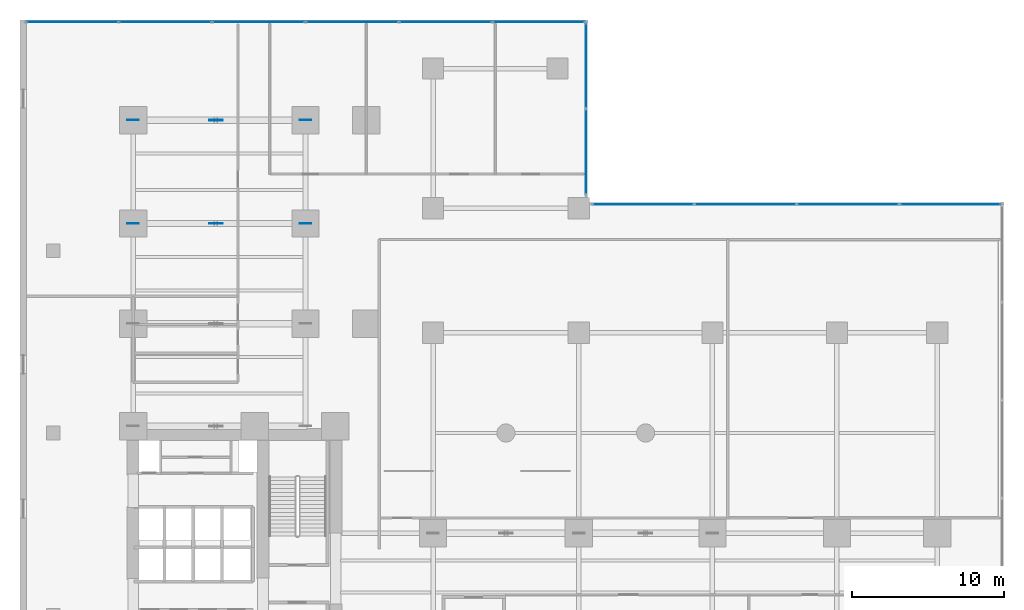
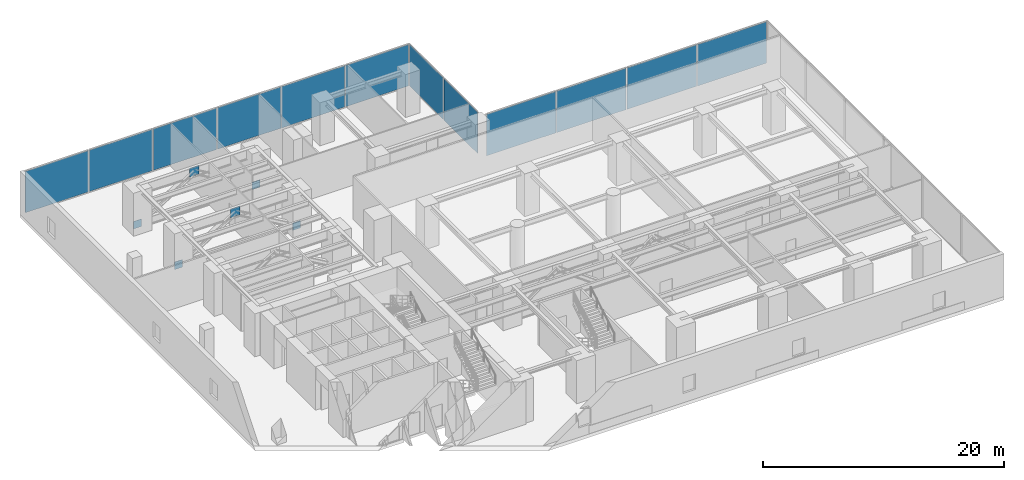
# One storey, part 13 of 18: 18 plates, 3 elements without a shape of their own.
"""IFC4 building model written with IfcOpenShell, lengths in metres."""

from ifc_helpers import new_model, si_unit, direction, frame, origin, origin_with_axes, origin_2d, place, context, subcontext, project, spatial, rectangle, extrude, source, transform, mapped, material, layer, layer_set, type_object, element, aggregate, save


model = new_model("IFC4")

# Units and contexts
model_context = context("Model", 3, precision=1e-05, world=origin(), true_north=direction((0.0, 1.0)))
body_context = subcontext(model_context, "Body", "Model", "MODEL_VIEW")
ifc_project = project(units=[si_unit("LENGTHUNIT", "METRE"), si_unit("AREAUNIT", "SQUARE_METRE"), si_unit("VOLUMEUNIT", "CUBIC_METRE"), si_unit("PLANEANGLEUNIT", "RADIAN"), si_unit("MASSUNIT", "GRAM", prefix="KILO")], contexts=[model_context])

# Site, building, storey
site_placement = place(None, origin())
site = spatial("IfcSite", under=ifc_project, at=site_placement, CompositionType="ELEMENT")
building_placement = place(site_placement, origin())
building = spatial("IfcBuilding", under=site, at=building_placement, Name="Kolvaren Waterfront Exchange", CompositionType="ELEMENT")
storey_placement = place(building_placement, frame((0.0, 0.0, 24.800048828125)))
storey = spatial("IfcBuildingStorey", under=building, at=storey_placement, Name="L06", CompositionType="ELEMENT", Elevation=24.800048828125)

# Plates
ifc_material_1 = material(Name="Steel S460", Category="steel")
ifc_layer_1 = layer(ifc_material_1, 0.0400390625, Name="Steel S460")
ifc_layer_set_1 = layer_set([ifc_layer_1], Name="Steel S460")
plate_type_1 = type_object("IfcPlateType", Name="STR-PL-KN1", PredefinedType="SHEET", material=ifc_layer_set_1)
shared_shape_1 = source(origin_with_axes(), body_context, "Body", "SweptSolid", [
    extrude(rectangle(XDim=0.89990234375, YDim=0.0400390625, at=origin_2d()), origin(), (0.0, 0.0, 1.0), 0.89990234375),
])
for number, where, z_axis, x_axis, name in (
    (1, (12.89990234375, 37.800048828125, 3.39599609375), (0.0, 0.0, 1.0), (1.0, 0.0, 0.0), "Transfer truss apex gusset plate TT3"),
    (2, (12.89990234375, 44.60009765625, 3.39599609375), (0.0, 0.0, 1.0), (1.0, 0.0, 0.0), "Transfer truss apex gusset plate TT4"),
):
    element("IfcPlate", number, at=place(storey_placement, frame(where, z_axis=z_axis, x_axis=x_axis)), inside=storey, type_object=plate_type_1, Name=name, PredefinedType="SHEET", context=body_context, shape_type="MappedRepresentation", body=[
        mapped(shared_shape_1, transform((0.0, 0.0, 0.0), x_axis=(1.0, 0.0, 0.0), y_axis=(0.0, 1.0, 0.0), z_axis=(0.0, 0.0, 1.0), scale=1.0)),
    ])
ifc_layer_2 = layer(ifc_material_1, 0.035888671875, Name="Steel S460")
ifc_layer_set_2 = layer_set([ifc_layer_2], Name="Steel S460")
plate_type_2 = type_object("IfcPlateType", Name="STR-PL-KN2", PredefinedType="SHEET", material=ifc_layer_set_2)
shared_shape_2 = source(origin_with_axes(), body_context, "Body", "SweptSolid", [
    extrude(rectangle(XDim=0.75, YDim=0.035888671875, at=origin_2d()), origin(), (0.0, 0.0, 1.0), 0.75),
])
for number, where, z_axis, x_axis, name in (
    (3, (7.449951171875, 37.800048828125, 0.031982421875), (0.0, 0.0, 1.0), (1.0, 0.0, 0.0), "Transfer truss end splice plate TT3.1"),
    (4, (18.800048828125, 37.800048828125, 0.031982421875), (0.0, 0.0, 1.0), (1.0, 0.0, 0.0), "Transfer truss end splice plate TT3.2"),
    (5, (7.449951171875, 44.60009765625, 0.031982421875), (0.0, 0.0, 1.0), (1.0, 0.0, 0.0), "Transfer truss end splice plate TT4.1"),
    (6, (18.800048828125, 44.60009765625, 0.031982421875), (0.0, 0.0, 1.0), (1.0, 0.0, 0.0), "Transfer truss end splice plate TT4.2"),
):
    element("IfcPlate", number, at=place(storey_placement, frame(where, z_axis=z_axis, x_axis=x_axis)), inside=storey, type_object=plate_type_2, Name=name, PredefinedType="SHEET", context=body_context, shape_type="MappedRepresentation", body=[
        mapped(shared_shape_2, transform((0.0, 0.0, 0.0), x_axis=(1.0, 0.0, 0.0), y_axis=(0.0, 1.0, 0.0), z_axis=(0.0, 0.0, 1.0), scale=1.0)),
    ])

# Curtain wall, plates
ifc_material_2 = material(Name="Anodised bronze aluminium 6063-T6", Category="aluminium")
ifc_layer_3 = layer(ifc_material_2, 0.219970703125, Name="Anodised bronze aluminium 6063-T6")
ifc_layer_set_3 = layer_set([ifc_layer_3], Name="Anodised bronze aluminium 6063-T6")
curtain_wall_type_1 = type_object("IfcCurtainWallType", Name="ARC-CW-SYS4", PredefinedType="USERDEFINED", material=ifc_layer_set_3)
curtain_wall_1_placement = place(storey_placement, origin())
curtain_wall_1 = element("IfcCurtainWall", 7, at=curtain_wall_1_placement, inside=storey, type_object=curtain_wall_type_1, Name="L06 stick curtain wall CW4 (CW-L06-E2)", ObjectType="STICK CURTAIN WALL", PredefinedType="USERDEFINED")
ifc_material_3 = material(Name="High-span laminated vision glass", Category="glass")
ifc_layer_4 = layer(ifc_material_3, 0.035888671875, Name="High-span laminated vision glass")
ifc_layer_set_4 = layer_set([ifc_layer_4], Name="High-span laminated vision glass")
plate_type_3 = type_object("IfcPlateType", Name="ARC-CWP-36", PredefinedType="CURTAIN_PANEL", material=ifc_layer_set_4)
shared_shape_3 = source(origin_with_axes(), body_context, "Body", "SweptSolid", [
    extrude(rectangle(XDim=6.632568359375, YDim=0.035888671875, at=origin_2d()), origin(), (0.0, 0.0, 1.0), 4.199951171875),
])
plate_1_placement = place(storey_placement, frame((61.263671875, 39.06005859375, 0.0751953125), z_axis=(0.0, 0.0, 1.0), x_axis=(-1.0, 0.0, 0.0)))
plate_1 = element("IfcPlate", 8, at=plate_1_placement, type_object=plate_type_3, Name="CW4 panel 1.1", PredefinedType="CURTAIN_PANEL", context=body_context, shape_type="MappedRepresentation", body=[
    mapped(shared_shape_3, transform((0.0, 0.0, 0.0), x_axis=(1.0, 0.0, 0.0), y_axis=(0.0, 1.0, 0.0), z_axis=(0.0, 0.0, 1.0), scale=1.0)),
])
plate_2_placement = place(storey_placement, frame((41.046142578125, 39.06005859375, 0.0751953125), z_axis=(0.0, 0.0, 1.0), x_axis=(-1.0, 0.0, 0.0)))
plate_2 = element("IfcPlate", 9, at=plate_2_placement, type_object=plate_type_3, Name="CW4 panel 4.1", PredefinedType="CURTAIN_PANEL", context=body_context, shape_type="MappedRepresentation", body=[
    mapped(shared_shape_3, transform((0.0, 0.0, 0.0), x_axis=(1.0, 0.0, 0.0), y_axis=(0.0, 1.0, 0.0), z_axis=(0.0, 0.0, 1.0), scale=1.0)),
])
shared_shape_4 = source(origin_with_axes(), body_context, "Body", "SweptSolid", [
    extrude(rectangle(XDim=6.672607421875, YDim=0.035888671875, at=origin_2d()), origin(), (0.0, 0.0, 1.0), 4.199951171875),
])
plate_3_placement = place(storey_placement, frame((54.53125, 39.06005859375, 0.0751953125), z_axis=(0.0, 0.0, 1.0), x_axis=(-1.0, 0.0, 0.0)))
plate_3 = element("IfcPlate", 10, at=plate_3_placement, type_object=plate_type_3, Name="CW4 panel 2.1", PredefinedType="CURTAIN_PANEL", context=body_context, shape_type="MappedRepresentation", body=[
    mapped(shared_shape_4, transform((0.0, 0.0, 0.0), x_axis=(1.0, 0.0, 0.0), y_axis=(0.0, 1.0, 0.0), z_axis=(0.0, 0.0, 1.0), scale=1.0)),
])
plate_4_placement = place(storey_placement, frame((47.77880859375, 39.06005859375, 0.0751953125), z_axis=(0.0, 0.0, 1.0), x_axis=(-1.0, 0.0, 0.0)))
plate_4 = element("IfcPlate", 11, at=plate_4_placement, type_object=plate_type_3, Name="CW4 panel 3.1", PredefinedType="CURTAIN_PANEL", context=body_context, shape_type="MappedRepresentation", body=[
    mapped(shared_shape_4, transform((0.0, 0.0, 0.0), x_axis=(1.0, 0.0, 0.0), y_axis=(0.0, 1.0, 0.0), z_axis=(0.0, 0.0, 1.0), scale=1.0)),
])
aggregate(curtain_wall_1, [plate_1, plate_3, plate_4, plate_2])

curtain_wall_2_placement = place(storey_placement, origin())
curtain_wall_2 = element("IfcCurtainWall", 12, at=curtain_wall_2_placement, inside=storey, type_object=curtain_wall_type_1, Name="L06 stick curtain wall CW4 (CW-L06-N1)", ObjectType="STICK CURTAIN WALL", PredefinedType="USERDEFINED")
shared_shape_5 = source(origin_with_axes(), body_context, "Body", "SweptSolid", [
    extrude(rectangle(XDim=5.5849609375, YDim=0.035888671875, at=origin_2d()), origin(), (0.0, 0.0, 1.0), 4.199951171875),
])
plate_5_placement = place(storey_placement, frame((37.260009765625, 42.5224609375, 0.0751953125), z_axis=(0.0, 0.0, 1.0), x_axis=(0.0, 1.0, 0.0)))
plate_5 = element("IfcPlate", 13, at=plate_5_placement, type_object=plate_type_3, Name="CW4 panel 1.1", PredefinedType="CURTAIN_PANEL", context=body_context, shape_type="MappedRepresentation", body=[
    mapped(shared_shape_5, transform((0.0, 0.0, 0.0), x_axis=(1.0, 0.0, 0.0), y_axis=(0.0, 1.0, 0.0), z_axis=(0.0, 0.0, 1.0), scale=1.0)),
])
plate_6_placement = place(storey_placement, frame((37.260009765625, 48.1875, 0.0751953125), z_axis=(0.0, 0.0, 1.0), x_axis=(0.0, 1.0, 0.0)))
plate_6 = element("IfcPlate", 14, at=plate_6_placement, type_object=plate_type_3, Name="CW4 panel 2.1", PredefinedType="CURTAIN_PANEL", context=body_context, shape_type="MappedRepresentation", body=[
    mapped(shared_shape_5, transform((0.0, 0.0, 0.0), x_axis=(1.0, 0.0, 0.0), y_axis=(0.0, 1.0, 0.0), z_axis=(0.0, 0.0, 1.0), scale=1.0)),
])
aggregate(curtain_wall_2, [plate_5, plate_6])

ifc_layer_5 = layer(ifc_material_2, 0.219970703125, Name="Anodised bronze aluminium 6063-T6")
ifc_layer_set_5 = layer_set([ifc_layer_5], Name="Anodised bronze aluminium 6063-T6")
curtain_wall_type_2 = type_object("IfcCurtainWallType", Name="ARC-CW-SYS1", PredefinedType="USERDEFINED", material=ifc_layer_set_5)
curtain_wall_3_placement = place(storey_placement, origin())
curtain_wall_3 = element("IfcCurtainWall", 15, at=curtain_wall_3_placement, inside=storey, type_object=curtain_wall_type_2, Name="L06 stick curtain wall CW1 (CW-L06-N2)", ObjectType="STICK CURTAIN WALL", PredefinedType="USERDEFINED")
ifc_material_4 = material(Name="Bronze solar control vision glass", Category="aluminium")
ifc_layer_6 = layer(ifc_material_4, 0.028076171875, Name="Bronze solar control vision glass")
ifc_layer_set_6 = layer_set([ifc_layer_6], Name="Bronze solar control vision glass")
plate_type_4 = type_object("IfcPlateType", Name="ARC-CWP-28", PredefinedType="CURTAIN_PANEL", material=ifc_layer_set_6)
shared_shape_6 = source(origin_with_axes(), body_context, "Body", "SweptSolid", [
    extrude(rectangle(XDim=6.03173828125, YDim=0.028076171875, at=origin_2d()), origin(), (0.0, 0.0, 1.0), 4.199951171875),
])
plate_7_placement = place(storey_placement, frame((34.1640625, 51.06005859375, 0.0751953125), z_axis=(0.0, 0.0, 1.0), x_axis=(-1.0, 0.0, 0.0)))
plate_7 = element("IfcPlate", 16, at=plate_7_placement, type_object=plate_type_4, Name="CW1 panel 1.1", PredefinedType="CURTAIN_PANEL", context=body_context, shape_type="MappedRepresentation", body=[
    mapped(shared_shape_6, transform((0.0, 0.0, 0.0), x_axis=(1.0, 0.0, 0.0), y_axis=(0.0, 1.0, 0.0), z_axis=(0.0, 0.0, 1.0), scale=1.0)),
])
plate_8_placement = place(storey_placement, frame((3.44580078125, 51.06005859375, 0.0751953125), z_axis=(0.0, 0.0, 1.0), x_axis=(-1.0, 0.0, 0.0)))
plate_8 = element("IfcPlate", 17, at=plate_8_placement, type_object=plate_type_4, Name="CW1 panel 6.1", PredefinedType="CURTAIN_PANEL", context=body_context, shape_type="MappedRepresentation", body=[
    mapped(shared_shape_6, transform((0.0, 0.0, 0.0), x_axis=(1.0, 0.0, 0.0), y_axis=(0.0, 1.0, 0.0), z_axis=(0.0, 0.0, 1.0), scale=1.0)),
])
shared_shape_7 = source(origin_with_axes(), body_context, "Body", "SweptSolid", [
    extrude(rectangle(XDim=6.07177734375, YDim=0.028076171875, at=origin_2d()), origin(), (0.0, 0.0, 1.0), 4.199951171875),
])
plate_9_placement = place(storey_placement, frame((28.032470703125, 51.06005859375, 0.0751953125), z_axis=(0.0, 0.0, 1.0), x_axis=(-1.0, 0.0, 0.0)))
plate_9 = element("IfcPlate", 18, at=plate_9_placement, type_object=plate_type_4, Name="CW1 panel 2.1", PredefinedType="CURTAIN_PANEL", context=body_context, shape_type="MappedRepresentation", body=[
    mapped(shared_shape_7, transform((0.0, 0.0, 0.0), x_axis=(1.0, 0.0, 0.0), y_axis=(0.0, 1.0, 0.0), z_axis=(0.0, 0.0, 1.0), scale=1.0)),
])
plate_10_placement = place(storey_placement, frame((21.880859375, 51.06005859375, 0.0751953125), z_axis=(0.0, 0.0, 1.0), x_axis=(-1.0, 0.0, 0.0)))
plate_10 = element("IfcPlate", 19, at=plate_10_placement, type_object=plate_type_4, Name="CW1 panel 3.1", PredefinedType="CURTAIN_PANEL", context=body_context, shape_type="MappedRepresentation", body=[
    mapped(shared_shape_7, transform((0.0, 0.0, 0.0), x_axis=(1.0, 0.0, 0.0), y_axis=(0.0, 1.0, 0.0), z_axis=(0.0, 0.0, 1.0), scale=1.0)),
])
plate_11_placement = place(storey_placement, frame((15.729248046875, 51.06005859375, 0.0751953125), z_axis=(0.0, 0.0, 1.0), x_axis=(-1.0, 0.0, 0.0)))
plate_11 = element("IfcPlate", 20, at=plate_11_placement, type_object=plate_type_4, Name="CW1 panel 4.1", PredefinedType="CURTAIN_PANEL", context=body_context, shape_type="MappedRepresentation", body=[
    mapped(shared_shape_7, transform((0.0, 0.0, 0.0), x_axis=(1.0, 0.0, 0.0), y_axis=(0.0, 1.0, 0.0), z_axis=(0.0, 0.0, 1.0), scale=1.0)),
])
plate_12_placement = place(storey_placement, frame((9.577392578125, 51.06005859375, 0.0751953125), z_axis=(0.0, 0.0, 1.0), x_axis=(-1.0, 0.0, 0.0)))
plate_12 = element("IfcPlate", 21, at=plate_12_placement, type_object=plate_type_4, Name="CW1 panel 5.1", PredefinedType="CURTAIN_PANEL", context=body_context, shape_type="MappedRepresentation", body=[
    mapped(shared_shape_7, transform((0.0, 0.0, 0.0), x_axis=(1.0, 0.0, 0.0), y_axis=(0.0, 1.0, 0.0), z_axis=(0.0, 0.0, 1.0), scale=1.0)),
])
aggregate(curtain_wall_3, [plate_7, plate_9, plate_10, plate_11, plate_12, plate_8])

save(model, "model.ifc")
